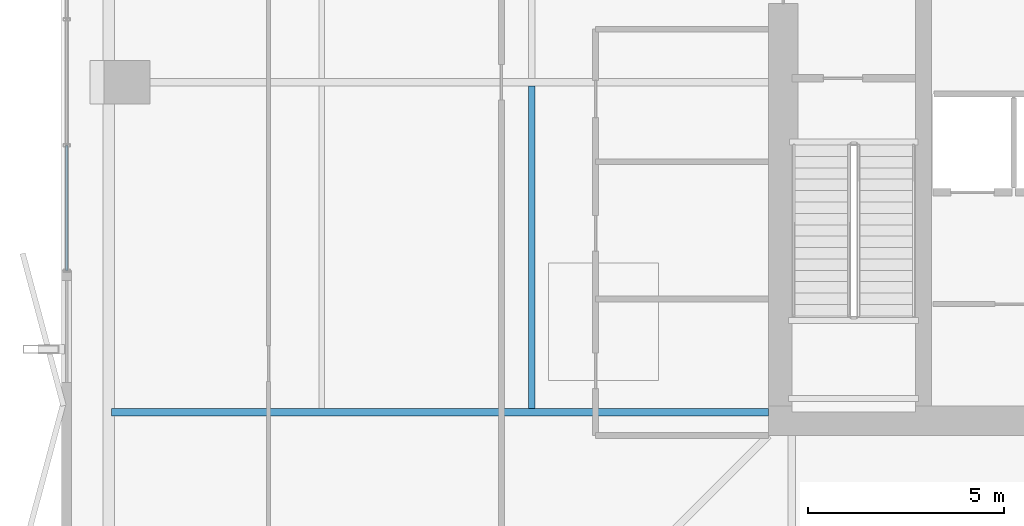
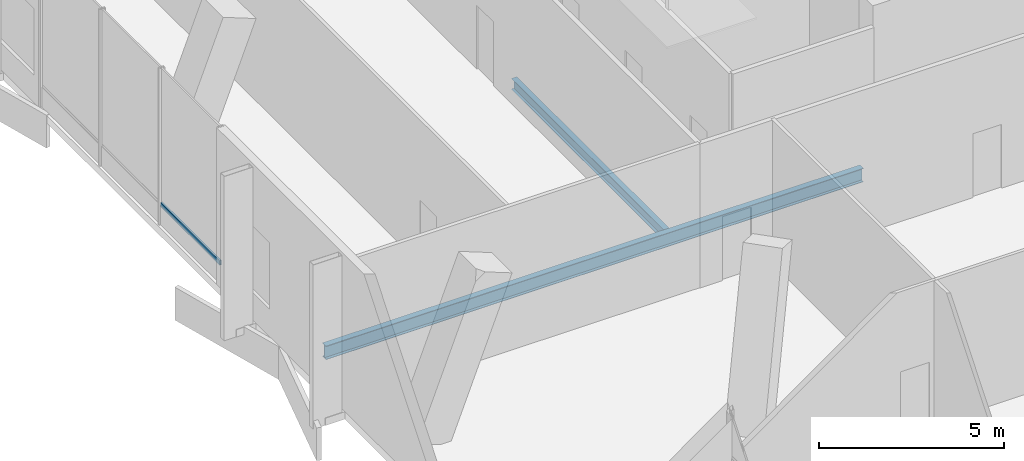
# One storey, part 8 of 33: 2 beams, 1 member, 1 element without a shape of its own.
"""IFC4 building model written with IfcOpenShell, lengths in metres."""

from ifc_helpers import new_model, si_unit, direction, frame, origin, origin_2d, place, context, subcontext, project, spatial, hollow_rectangle, i_section, extrude, material, layer, layer_set, material_profile, profile_set, type_object, element, aggregate, save


model = new_model("IFC4")

# Units and contexts
model_context = context("Model", 3, precision=1e-05, world=origin(), true_north=direction((0.0, 1.0)))
body_context = subcontext(model_context, "Body", "Model", "MODEL_VIEW")
ifc_project = project(units=[si_unit("LENGTHUNIT", "METRE"), si_unit("AREAUNIT", "SQUARE_METRE"), si_unit("VOLUMEUNIT", "CUBIC_METRE"), si_unit("PLANEANGLEUNIT", "RADIAN"), si_unit("MASSUNIT", "GRAM", prefix="KILO")], contexts=[model_context])

# Site, building, storey
site_placement = place(None, origin())
site = spatial("IfcSite", under=ifc_project, at=site_placement, CompositionType="ELEMENT")
building_placement = place(site_placement, origin())
building = spatial("IfcBuilding", under=site, at=building_placement, Name="Belovzor Exchange Tower", CompositionType="ELEMENT")
storey_placement = place(building_placement, frame((0.0, 0.0, 241.199951171875)))
storey = spatial("IfcBuildingStorey", under=building, at=storey_placement, Name="L60", CompositionType="ELEMENT", Elevation=241.199951171875)

# Beam
ifc_material_1 = material(Name="Steel S355", Category="steel")
ifc_material_profile_1 = material_profile(ifc_material_1, i_section(OverallWidth=0.169921875, OverallDepth=0.360107421875, WebThickness=0.008056640625, FlangeThickness=0.0126953125, at=origin_2d()))
ifc_profile_set_1 = profile_set([ifc_material_profile_1], Name="Steel S355")
beam_type_1 = type_object("IfcBeamType", Name="Secondary Infill Floor Joist IPE 360", PredefinedType="BEAM", material=ifc_profile_set_1)
beam_1_placement = place(storey_placement, frame((13.779052734375, 20.4951171875, -0.429931640625), z_axis=(0.0, 1.0, 0.0), x_axis=(-1.0, 0.0, 0.0)))
element("IfcBeam", 1, at=beam_1_placement, inside=storey, type_object=beam_type_1, Name="FJ-360 Secondary Infill Floor Joist IPE 360", PredefinedType="BEAM", context=body_context, shape_type="SweptSolid", body=[
    extrude(i_section(OverallWidth=0.169921875, OverallDepth=0.360107421875, WebThickness=0.008056640625, FlangeThickness=0.0126953125, at=origin_2d()), origin(), (0.0, 0.0, 1.0), 8.2099609375),
])

# Curtain wall, member
ifc_material_2 = material(Name="Anodised Aluminium Framing", Category="aluminium")
ifc_layer = layer(ifc_material_2, 0.239990234375)
ifc_layer_set = layer_set([ifc_layer], Name="Anodised Aluminium Framing")
curtain_wall_type = type_object("IfcCurtainWallType", Name="Sky-Lobby Double-Skin Acoustic Curtain Wall", PredefinedType="NOTDEFINED", material=ifc_layer_set)
curtain_wall_placement = place(storey_placement, origin())
curtain_wall = element("IfcCurtainWall", 2, at=curtain_wall_placement, inside=storey, type_object=curtain_wall_type, Name="CW4 Sky-Lobby Double-Skin Acoustic Curtain Wall L60", PredefinedType="NOTDEFINED")
ifc_material_3 = material(Name="Steel S355", Category="steel")
ifc_material_profile_2 = material_profile(ifc_material_3, hollow_rectangle(XDim=0.06005859375, YDim=0.14990234375, WallThickness=0.00390625, at=origin_2d()))
ifc_profile_set_2 = profile_set([ifc_material_profile_2], Name="Steel S355")
member_type = type_object("IfcMemberType", Name="Thermally Broken Curtain Wall Transom 150x60", PredefinedType="USERDEFINED", material=ifc_profile_set_2)
member_placement = place(storey_placement, frame((1.929931640625, 24.008056640625, 0.650146484375), z_axis=(0.0, 1.0, 0.0), x_axis=(-1.0, 0.0, 0.0)))
member = element("IfcMember", 3, at=member_placement, type_object=member_type, Name="CW-T150 Curtain Wall Transom 1", ObjectType="TRANSOM", PredefinedType="USERDEFINED", context=body_context, shape_type="SweptSolid", body=[
    extrude(hollow_rectangle(XDim=0.06005859375, YDim=0.14990234375, WallThickness=0.00390625, at=origin_2d()), origin(), (0.0, 0.0, 1.0), 3.183837890625),
])
aggregate(curtain_wall, [member])

# Beam
ifc_material_4 = material(Name="Steel S355", Category="steel")
ifc_material_profile_3 = material_profile(ifc_material_4, i_section(OverallWidth=0.18994140625, OverallDepth=0.449951171875, WebThickness=0.009521484375, FlangeThickness=0.0146484375, at=origin_2d()))
ifc_profile_set_3 = profile_set([ifc_material_profile_3], Name="Steel S355")
beam_type_2 = type_object("IfcBeamType", Name="Zone 2-4 Radial Composite Floor Beam IPE 450", PredefinedType="BEAM", material=ifc_profile_set_3)
beam_2_placement = place(storey_placement, frame((19.800048828125, 20.39990234375, -0.474853515625), z_axis=(-1.0, 0.0, 0.0), x_axis=(0.0, -1.0, 0.0)))
element("IfcBeam", 4, at=beam_2_placement, inside=storey, type_object=beam_type_2, Name="FB-450 Zone 2-4 Radial Composite Floor Beam IPE 450", PredefinedType="BEAM", context=body_context, shape_type="SweptSolid", body=[
    extrude(i_section(OverallWidth=0.18994140625, OverallDepth=0.449951171875, WebThickness=0.009521484375, FlangeThickness=0.0146484375, at=origin_2d()), origin(), (0.0, 0.0, 1.0), 16.72509765625),
])

save(model, "model.ifc")
